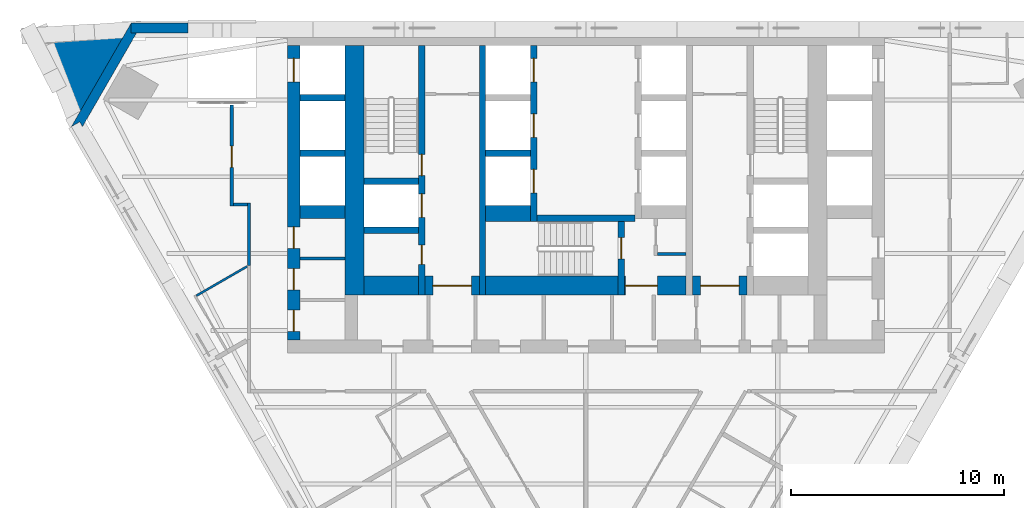
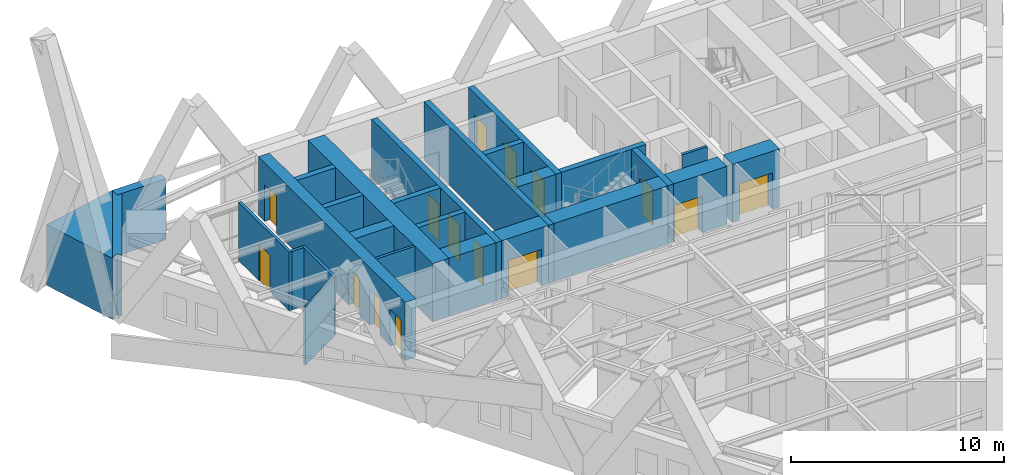
# One storey, part 7 of 11: 28 walls, 15 doors, 15 openings.
"""IFC4 building model written with IfcOpenShell, lengths in metres."""

import ifcopenshell
import ifcopenshell.guid

model = None  # the IFC model being written
_history = None  # IfcOwnerHistory: only IFC2X3 demands one
_inside = {}  # id of a spatial element -> (the spatial element, [elements in it])
_under = {}  # id of a project, library or spatial element -> (it, [spatial elements below it])
_declared = {}  # id of a project -> (the project, [libraries it declares])
_typed = {}  # id of a type object -> (the type object, [elements of that type])
_made_of = {}  # id of a material, layer set ... -> (it, [elements and type objects made of it])


def new_model(schema):
    """Start an empty IFC model of exactly this schema.

    Asked for "IFC4X3", IfcOpenShell would pick the latest addendum, in which some entities
    have other attributes; the version numbers below select the first issue.
    IFC2X3 requires an IfcOwnerHistory on every rooted entity: one is made here for all.
    """
    global model, _history
    if schema == "IFC4X3":
        model = ifcopenshell.file(schema_version=(4, 3, 0, 0))
    else:
        model = ifcopenshell.file(schema=schema)
    _inside.clear()
    _under.clear()
    _declared.clear()
    _typed.clear()
    _made_of.clear()
    _history = None
    if model.schema == "IFC2X3":
        org = make("IfcOrganization", Name="unknown")
        user = make(
            "IfcPersonAndOrganization",
            ThePerson=make("IfcPerson", FamilyName="unknown"),
            TheOrganization=org,
        )
        app = make(
            "IfcApplication",
            ApplicationDeveloper=org,
            Version="unknown",
            ApplicationFullName="unknown",
            ApplicationIdentifier="unknown",
        )
        _history = make(
            "IfcOwnerHistory",
            OwningUser=user,
            OwningApplication=app,
            ChangeAction="ADDED",
            CreationDate=0,
        )
    return model


def make(cls, **values):
    """One entity of the class cls with the attributes given. An attribute that is None is left unset."""
    return model.create_entity(
        cls, **{name: value for name, value in values.items() if value is not None}
    )


def rooted(cls, **values):
    """An entity with a GlobalId (a new one), such as an element, a storey or a relation."""
    return make(cls, GlobalId=ifcopenshell.guid.new(), OwnerHistory=_history, **values)


def si_unit(unit_type, name, prefix=None):
    """IfcSIUnit, for example si_unit("LENGTHUNIT", "METRE", prefix="MILLI")."""
    return make("IfcSIUnit", UnitType=unit_type, Prefix=prefix, Name=name)


def assignment(units):
    """IfcUnitAssignment: the units of a project."""
    return None if units is None else make("IfcUnitAssignment", Units=units)


def point(xyz):
    """IfcCartesianPoint."""
    return None if xyz is None else make("IfcCartesianPoint", Coordinates=xyz)


def direction(xyz):
    """IfcDirection."""
    return None if xyz is None else make("IfcDirection", DirectionRatios=xyz)


def frame(location, z_axis=None, x_axis=None):
    """IfcAxis2Placement3D, a coordinate frame: its origin and axes. An axis left out is left unset."""
    return make(
        "IfcAxis2Placement3D",
        Location=point(location),
        Axis=direction(z_axis),
        RefDirection=direction(x_axis),
    )


def frame_2d(location, x_axis=None):
    """IfcAxis2Placement2D, a coordinate frame in the plane: its origin and x axis."""
    return make(
        "IfcAxis2Placement2D", Location=point(location), RefDirection=direction(x_axis)
    )


def origin():
    """The frame at (0, 0, 0) with its axes left unset."""
    return frame((0.0, 0.0, 0.0))


def place(relative_to, where):
    """IfcLocalPlacement: puts the frame where relative to a parent placement (None: the world)."""
    return make(
        "IfcLocalPlacement", PlacementRelTo=relative_to, RelativePlacement=where
    )


def context(
    kind, dimensions, precision=None, world=None, true_north=None, identifier=None
):
    """IfcGeometricRepresentationContext, for example the 3D "Model" context."""
    return make(
        "IfcGeometricRepresentationContext",
        ContextIdentifier=identifier,
        ContextType=kind,
        CoordinateSpaceDimension=dimensions,
        Precision=precision,
        WorldCoordinateSystem=world,
        TrueNorth=true_north,
    )


def subcontext(parent, identifier, kind, view, scale=None):
    """IfcGeometricRepresentationSubContext, for example "Body" below "Model"."""
    return make(
        "IfcGeometricRepresentationSubContext",
        ContextIdentifier=identifier,
        ContextType=kind,
        ParentContext=parent,
        TargetScale=scale,
        TargetView=view,
    )


def project(units=None, contexts=None):
    """IfcProject with its units and contexts."""
    return rooted(
        "IfcProject",
        Name="project",
        RepresentationContexts=contexts,
        UnitsInContext=assignment(units),
    )


def spatial(cls, under=None, at=None, **own):
    """A site, building, storey or space (cls), placed at a placement, below another one or the project."""
    s = rooted(cls, ObjectPlacement=at, **own)
    if under is not None:
        _under.setdefault(under.id(), (under, []))[1].append(s)
    return s


def polyline(points):
    """IfcPolyline through the points."""
    return make("IfcPolyline", Points=[point(p) for p in points])


def profile(cls, at=None, kind="AREA", **sizes):
    """A parametric profile (cls). Its sizes go by their IFC names, for example OverallWidth=200.0."""
    return make(cls, ProfileType=kind, Position=at, **sizes)


def rectangle(**sizes):
    """IfcRectangleProfileDef."""
    return profile("IfcRectangleProfileDef", **sizes)


def outline(outer, holes=None, kind="AREA"):
    """IfcArbitraryClosedProfileDef: a profile drawn as a closed curve; with holes, ...WithVoids."""
    if holes is None:
        return make("IfcArbitraryClosedProfileDef", ProfileType=kind, OuterCurve=outer)
    return make(
        "IfcArbitraryProfileDefWithVoids",
        ProfileType=kind,
        OuterCurve=outer,
        InnerCurves=holes,
    )


def extrude(swept, where, along, depth):
    """IfcExtrudedAreaSolid: the profile swept, set in the frame where, extruded along a direction by depth."""
    return make(
        "IfcExtrudedAreaSolid",
        SweptArea=swept,
        Position=where,
        ExtrudedDirection=direction(along),
        Depth=depth,
    )


def shape(context_of_items, identifier, shape_type, items):
    """IfcShapeRepresentation: the items that make up one representation, for example the "Body"."""
    return make(
        "IfcShapeRepresentation",
        ContextOfItems=context_of_items,
        RepresentationIdentifier=identifier,
        RepresentationType=shape_type,
        Items=items,
    )


def material(Name=None, Category=None):
    """IfcMaterial."""
    return make("IfcMaterial", Name=Name, Category=Category)


def layer(
    of_material, thickness, ventilated=None, Name=None, Category=None, Priority=None
):
    """IfcMaterialLayer: one layer of a wall or slab, of a material (None: an air gap)."""
    return make(
        "IfcMaterialLayer",
        Material=of_material,
        LayerThickness=thickness,
        IsVentilated=ventilated,
        Name=Name,
        Category=Category,
        Priority=Priority,
    )


def layer_set(layers, Name=None):
    """IfcMaterialLayerSet."""
    return make("IfcMaterialLayerSet", MaterialLayers=layers, LayerSetName=Name)


def made_of(thing, what):
    """Note that an element or type object is made of a material, layer set ...; save() writes the relation."""
    if what is not None:
        _made_of.setdefault(what.id(), (what, []))[1].append(thing)
    return thing


def type_object(cls, material=None, **own):
    """A type object (cls), such as IfcWallType, which elements share."""
    return made_of(rooted(cls, **own), material)


def element(
    cls,
    number,
    at=None,
    inside=None,
    cuts=None,
    type_object=None,
    material=None,
    context=None,
    identifier="Body",
    shape_type=None,
    held_by="IfcProductDefinitionShape",
    body=None,
    shapes=None,
    **own,
):
    """One element of the class cls, such as IfcWall. Its Tag is "e" and its number.

    at: its placement. inside: the storey or other place that contains it. cuts: it is an
    opening in that element (IfcRelVoidsElement). A single representation is given by context,
    identifier, shape_type and body (its items); several are given by shapes. held_by: the class
    of the entity that holds the representations. save() writes the other relations.
    """
    e = rooted(cls, Tag="e%d" % number, ObjectPlacement=at, **own)
    if body is not None:
        shapes = [shape(context, identifier, shape_type, body)]
    if shapes is not None:
        e.Representation = make(held_by, Representations=shapes)
    if inside is not None:
        _inside.setdefault(inside.id(), (inside, []))[1].append(e)
    if cuts is not None:
        rooted(
            "IfcRelVoidsElement", RelatingBuildingElement=cuts, RelatedOpeningElement=e
        )
    if type_object is not None:
        _typed.setdefault(type_object.id(), (type_object, []))[1].append(e)
    return made_of(e, material)


def fill(opening, filler):
    """IfcRelFillsElement: the door or window that sits in an opening."""
    return rooted(
        "IfcRelFillsElement",
        RelatingOpeningElement=opening,
        RelatedBuildingElement=filler,
    )


def aggregate(whole, parts):
    """IfcRelAggregates: a whole, such as a stair, and the parts it consists of."""
    return rooted("IfcRelAggregates", RelatingObject=whole, RelatedObjects=parts)


def save(model, path):
    """Write the relations noted so far, then the file.

    IfcRelAggregates (storeys below a building ...), IfcRelContainedInSpatialStructure (elements
    in a storey), IfcRelDefinesByType, IfcRelAssociatesMaterial and IfcRelDeclares: one each for
    every whole, place, type object, material and project.
    """
    for whole, parts in _under.values():
        aggregate(whole, parts)
    for where, things in _inside.values():
        rooted(
            "IfcRelContainedInSpatialStructure",
            RelatedElements=things,
            RelatingStructure=where,
        )
    for kind, things in _typed.values():
        rooted("IfcRelDefinesByType", RelatedObjects=things, RelatingType=kind)
    for what, things in _made_of.values():
        rooted("IfcRelAssociatesMaterial", RelatedObjects=things, RelatingMaterial=what)
    for by, libraries in _declared.values():
        rooted("IfcRelDeclares", RelatingContext=by, RelatedDefinitions=libraries)
    model.write(path)


model = new_model("IFC4")

# Units and contexts
model_context = context("Model", 3, precision=1e-05, world=origin(), true_north=direction((0.0, 1.0)))
body_context = subcontext(model_context, "Body", "Model", "MODEL_VIEW")
ifc_project = project(units=[si_unit("LENGTHUNIT", "METRE"), si_unit("AREAUNIT", "SQUARE_METRE"), si_unit("VOLUMEUNIT", "CUBIC_METRE"), si_unit("PLANEANGLEUNIT", "RADIAN"), si_unit("MASSUNIT", "GRAM", prefix="KILO")], contexts=[model_context])

# Site, building, storey
site_placement = place(None, origin())
site = spatial("IfcSite", under=ifc_project, at=site_placement, CompositionType="ELEMENT")
building_placement = place(site_placement, origin())
building = spatial("IfcBuilding", under=site, at=building_placement, Name="Aloe Facet Convention Tower", CompositionType="ELEMENT")
storey_placement = place(building_placement, frame((0.0, 0.0, 95.800048828125)))
storey = spatial("IfcBuildingStorey", under=building, at=storey_placement, Name="L23", CompositionType="ELEMENT", Elevation=95.800048828125)

# Walls
ifc_material_1 = material(Name="Concrete blockwork partition", Category="masonry")
ifc_layer_1 = layer(ifc_material_1, 0.14990234375)
ifc_layer_set_1 = layer_set([ifc_layer_1], Name="CR-W-PART150")
wall_type_1 = type_object("IfcWallType", Name="CR-W-PART150", PredefinedType="PARTITIONING", material=ifc_layer_set_1)
wall_1_placement = place(storey_placement, frame((66.60009765625, 123.97509765625, 0.0), z_axis=(0.0, 0.0, 1.0), x_axis=(1.0, 0.0, 0.0)))
element("IfcWall", 1, at=wall_1_placement, inside=storey, type_object=wall_type_1, Name="Core partition L23-007", PredefinedType="PARTITIONING", context=body_context, shape_type="SweptSolid", body=[
    extrude(rectangle(XDim=2.099853515625, YDim=0.14990234375, at=frame_2d((1.0498046875, 0.0))), origin(), (0.0, 0.0, 1.0), 3.349853515625),
])
wall_2_placement = place(storey_placement, frame((83.35009765625, 124.175048828125, 0.0), z_axis=(0.0, 0.0, 1.0), x_axis=(1.0, 0.0, 0.0)))
element("IfcWall", 2, at=wall_2_placement, inside=storey, type_object=wall_type_1, Name="Core partition L23-036", PredefinedType="PARTITIONING", context=body_context, shape_type="SweptSolid", body=[
    extrude(rectangle(XDim=1.349853515625, YDim=0.14990234375, at=frame_2d((0.6748046875, 0.0))), origin(), (0.0, 0.0, 1.0), 3.349853515625),
])
ifc_material_2 = material(Name="Concrete C70/85", Category="concrete")
ifc_layer_2 = layer(ifc_material_2, 0.300048828125)
ifc_layer_set_2 = layer_set([ifc_layer_2], Name="CR-W-RC300-C7085")
wall_type_2 = type_object("IfcWallType", Name="CR-W-RC300-C7085", PredefinedType="SOLIDWALL", material=ifc_layer_set_2)
for number, where, z_axis, x_axis, name in (
    (3, (66.60009765625, 131.5, 0.0), (0.0, 0.0, 1.0), (1.0, 0.0, 0.0), "Core wall L23-004"),
    (4, (66.60009765625, 128.89990234375, 0.0), (0.0, 0.0, 1.0), (1.0, 0.0, 0.0), "Core wall L23-005"),
):
    element("IfcWall", number, at=place(storey_placement, frame(where, z_axis=z_axis, x_axis=x_axis)), inside=storey, type_object=wall_type_2, Name=name, PredefinedType="SOLIDWALL", context=body_context, shape_type="SweptSolid", body=[
        extrude(rectangle(XDim=2.099853515625, YDim=0.300048828125, at=frame_2d((1.0498046875, 0.0))), origin(), (0.0, 0.0, 1.0), 3.349853515625),
    ])
for number, where, z_axis, x_axis, name in (
    (5, (69.60009765625, 127.60009765625, 0.0), (0.0, 0.0, 1.0), (1.0, 0.0, 0.0), "Core wall L23-011"),
    (6, (69.60009765625, 125.300048828125, 0.0), (0.0, 0.0, 1.0), (1.0, 0.0, 0.0), "Core wall L23-012"),
):
    element("IfcWall", number, at=place(storey_placement, frame(where, z_axis=z_axis, x_axis=x_axis)), inside=storey, type_object=wall_type_2, Name=name, PredefinedType="SOLIDWALL", context=body_context, shape_type="SweptSolid", body=[
        extrude(rectangle(XDim=2.5498046875, YDim=0.300048828125, at=frame_2d((1.27490234375, 0.0))), origin(), (0.0, 0.0, 1.0), 3.349853515625),
    ])

# Wall, openings, doors
wall_3_placement = place(storey_placement, frame((72.300048828125, 133.949951171875, 0.0), z_axis=(0.0, 0.0, 1.0), x_axis=(0.0, -1.0, 0.0)))
wall_3 = element("IfcWall", 7, at=wall_3_placement, inside=storey, type_object=wall_type_2, Name="Core wall L23-014", PredefinedType="SOLIDWALL", context=body_context, shape_type="SweptSolid", body=[
    extrude(rectangle(XDim=11.699951171875, YDim=0.300048828125, at=frame_2d((5.85009765625, 0.0))), origin(), (0.0, 0.0, 1.0), 3.349853515625),
])
opening_1_placement = place(wall_3_placement, frame((6.949951171875, 0.0, 0.0)))
opening_1 = element("IfcOpeningElement", 8, at=opening_1_placement, cuts=wall_3, Name="Opening LD-FF1-L23", PredefinedType="OPENING", context=body_context, shape_type="SweptSolid", body=[
    extrude(rectangle(XDim=1.10009765625, YDim=2.10009765625, at=frame_2d((0.550048828125, 1.050048828125))), frame((0.0, 0.16015625, 0.0), z_axis=(0.0, -1.0, 0.0), x_axis=(1.0, 0.0, 0.0)), (0.0, 0.0, 1.0), 0.320068359375),
])
opening_2_placement = place(wall_3_placement, frame((9.35009765625, 0.0, 0.0)))
opening_2 = element("IfcOpeningElement", 9, at=opening_2_placement, cuts=wall_3, Name="Opening L23-CD22", PredefinedType="OPENING", context=body_context, shape_type="SweptSolid", body=[
    extrude(rectangle(XDim=0.89990234375, YDim=2.10009765625, at=frame_2d((0.449951171875, 1.050048828125))), frame((0.0, 0.16015625, 0.0), z_axis=(0.0, -1.0, 0.0), x_axis=(1.0, 0.0, 0.0)), (0.0, 0.0, 1.0), 0.320068359375),
])
opening_3_placement = place(wall_3_placement, frame((5.10009765625, 0.0, 0.0)))
opening_3 = element("IfcOpeningElement", 10, at=opening_3_placement, cuts=wall_3, Name="Opening L23-CD29", PredefinedType="OPENING", context=body_context, shape_type="SweptSolid", body=[
    extrude(rectangle(XDim=1.0, YDim=2.10009765625, at=frame_2d((0.5, 1.050048828125))), frame((0.0, 0.16015625, 0.0), z_axis=(0.0, -1.0, 0.0), x_axis=(1.0, 0.0, 0.0)), (0.0, 0.0, 1.0), 0.320068359375),
])
ifc_material_3 = material(Name="Steel fire-resisting door set FD60", Category="steel")
door_type_1 = type_object("IfcDoorType", Name="CR-D-ROOM-900-FD60-SLEFT", OperationType="SINGLE_SWING_LEFT", PredefinedType="DOOR", material=ifc_material_3)
door_1_placement = place(opening_2_placement, origin())
door_1 = element("IfcDoor", 11, at=door_1_placement, inside=storey, type_object=door_type_1, Name="Core door L23-CD22", OperationType="SINGLE_SWING_LEFT", OverallHeight=2.10009765625, OverallWidth=0.89990234375, PredefinedType="DOOR", context=body_context, shape_type="SweptSolid", body=[
    extrude(rectangle(XDim=0.89990234375, YDim=2.10009765625, at=frame_2d((0.449951171875, 1.050048828125))), frame((0.0, 0.02490234375, 0.0), z_axis=(0.0, -1.0, 0.0), x_axis=(1.0, 0.0, 0.0)), (0.0, 0.0, 1.0), 0.050048828125),
])
fill(opening_2, door_1)
ifc_material_4 = material(Name="Steel fire-resisting door set FD120", Category="steel")
door_type_2 = type_object("IfcDoorType", Name="CR-D-STAIR-1000-FD120-SRIGHT", OperationType="SINGLE_SWING_RIGHT", PredefinedType="DOOR", material=ifc_material_4)
door_2_placement = place(opening_3_placement, origin())
door_2 = element("IfcDoor", 12, at=door_2_placement, inside=storey, type_object=door_type_2, Name="Core door L23-CD29", OperationType="SINGLE_SWING_RIGHT", OverallHeight=2.10009765625, OverallWidth=1.0, PredefinedType="DOOR", context=body_context, shape_type="SweptSolid", body=[
    extrude(rectangle(XDim=1.0, YDim=2.10009765625, at=frame_2d((0.5, 1.050048828125))), frame((0.0, 0.02490234375, 0.0), z_axis=(0.0, -1.0, 0.0), x_axis=(1.0, 0.0, 0.0)), (0.0, 0.0, 1.0), 0.050048828125),
])
fill(opening_3, door_2)
ifc_material_5 = material(Name="Stainless steel sliding landing door", Category="steel")
door_type_3 = type_object("IfcDoorType", Name="CR-LD-1100-FD120-_LEFT", OperationType="SLIDING_TO_LEFT", PredefinedType="DOOR", material=ifc_material_5)
door_3_placement = place(opening_1_placement, origin())
door_3 = element("IfcDoor", 13, at=door_3_placement, inside=storey, type_object=door_type_3, Name="Landing door FF1 L23", OperationType="SLIDING_TO_LEFT", OverallHeight=2.10009765625, OverallWidth=1.10009765625, PredefinedType="DOOR", context=body_context, shape_type="SweptSolid", body=[
    extrude(rectangle(XDim=1.10009765625, YDim=2.10009765625, at=frame_2d((0.550048828125, 1.050048828125))), frame((0.0, 0.02490234375, 0.0), z_axis=(0.0, -1.0, 0.0), x_axis=(1.0, 0.0, 0.0)), (0.0, 0.0, 1.0), 0.050048828125),
])
fill(opening_1, door_3)

# Walls
wall_4_placement = place(storey_placement, frame((75.14990234375, 133.949951171875, 0.0), z_axis=(0.0, 0.0, 1.0), x_axis=(0.0, -1.0, 0.0)))
element("IfcWall", 14, at=wall_4_placement, inside=storey, type_object=wall_type_2, Name="Core wall L23-019", PredefinedType="SOLIDWALL", context=body_context, shape_type="SweptSolid", body=[
    extrude(rectangle(XDim=11.699951171875, YDim=0.300048828125, at=frame_2d((5.85009765625, 0.0))), origin(), (0.0, 0.0, 1.0), 3.349853515625),
])
wall_5_placement = place(storey_placement, frame((75.300048828125, 128.89990234375, 0.0), z_axis=(0.0, 0.0, 1.0), x_axis=(1.0, 0.0, 0.0)))
element("IfcWall", 15, at=wall_5_placement, inside=storey, type_object=wall_type_2, Name="Core wall L23-021", PredefinedType="SOLIDWALL", context=body_context, shape_type="SweptSolid", body=[
    extrude(rectangle(XDim=2.099853515625, YDim=0.300048828125, at=frame_2d((1.0498046875, 0.0))), origin(), (0.0, 0.0, 1.0), 3.349853515625),
])

# Wall, openings, doors
wall_6_placement = place(storey_placement, frame((77.550048828125, 133.949951171875, 0.0), z_axis=(0.0, 0.0, 1.0), x_axis=(0.0, -1.0, 0.0)))
wall_6 = element("IfcWall", 16, at=wall_6_placement, inside=storey, type_object=wall_type_2, Name="Core wall L23-024", PredefinedType="SOLIDWALL", context=body_context, shape_type="SweptSolid", body=[
    extrude(rectangle(XDim=8.25, YDim=0.300048828125, at=frame_2d((4.125, 0.0))), origin(), (0.0, 0.0, 1.0), 3.349853515625),
])
opening_4_placement = place(wall_6_placement, frame((0.60009765625, 0.0, 0.0)))
opening_4 = element("IfcOpeningElement", 17, at=opening_4_placement, cuts=wall_6, Name="Opening LD-A1-L23", PredefinedType="OPENING", context=body_context, shape_type="SweptSolid", body=[
    extrude(rectangle(XDim=1.10009765625, YDim=2.10009765625, at=frame_2d((0.550048828125, 1.050048828125))), frame((0.0, 0.16015625, 0.0), z_axis=(0.0, -1.0, 0.0), x_axis=(1.0, 0.0, 0.0)), (0.0, 0.0, 1.0), 0.320068359375),
])
opening_5_placement = place(wall_6_placement, frame((3.199951171875, 0.0, 0.0)))
opening_5 = element("IfcOpeningElement", 18, at=opening_5_placement, cuts=wall_6, Name="Opening LD-A2-L23", PredefinedType="OPENING", context=body_context, shape_type="SweptSolid", body=[
    extrude(rectangle(XDim=1.10009765625, YDim=2.10009765625, at=frame_2d((0.550048828125, 1.050048828125))), frame((0.0, 0.16015625, 0.0), z_axis=(0.0, -1.0, 0.0), x_axis=(1.0, 0.0, 0.0)), (0.0, 0.0, 1.0), 0.320068359375),
])
opening_6_placement = place(wall_6_placement, frame((5.800048828125, 0.0, 0.0)))
opening_6 = element("IfcOpeningElement", 19, at=opening_6_placement, cuts=wall_6, Name="Opening LD-A3-L23", PredefinedType="OPENING", context=body_context, shape_type="SweptSolid", body=[
    extrude(rectangle(XDim=1.10009765625, YDim=2.10009765625, at=frame_2d((0.550048828125, 1.050048828125))), frame((0.0, 0.16015625, 0.0), z_axis=(0.0, -1.0, 0.0), x_axis=(1.0, 0.0, 0.0)), (0.0, 0.0, 1.0), 0.320068359375),
])
ifc_material_6 = material(Name="Stainless steel sliding landing door", Category="steel")
door_type_4 = type_object("IfcDoorType", Name="CR-LD-1100-FD60-RIGHT", OperationType="SLIDING_TO_RIGHT", PredefinedType="DOOR", material=ifc_material_6)
door_4_placement = place(opening_4_placement, origin())
door_4 = element("IfcDoor", 20, at=door_4_placement, inside=storey, type_object=door_type_4, Name="Landing door A1 L23", OperationType="SLIDING_TO_RIGHT", OverallHeight=2.10009765625, OverallWidth=1.10009765625, PredefinedType="DOOR", context=body_context, shape_type="SweptSolid", body=[
    extrude(rectangle(XDim=1.10009765625, YDim=2.10009765625, at=frame_2d((0.550048828125, 1.050048828125))), frame((0.0, 0.02490234375, 0.0), z_axis=(0.0, -1.0, 0.0), x_axis=(1.0, 0.0, 0.0)), (0.0, 0.0, 1.0), 0.050048828125),
])
fill(opening_4, door_4)
door_5_placement = place(opening_5_placement, origin())
door_5 = element("IfcDoor", 21, at=door_5_placement, inside=storey, type_object=door_type_4, Name="Landing door A2 L23", OperationType="SLIDING_TO_RIGHT", OverallHeight=2.10009765625, OverallWidth=1.10009765625, PredefinedType="DOOR", context=body_context, shape_type="SweptSolid", body=[
    extrude(rectangle(XDim=1.10009765625, YDim=2.10009765625, at=frame_2d((0.550048828125, 1.050048828125))), frame((0.0, 0.02490234375, 0.0), z_axis=(0.0, -1.0, 0.0), x_axis=(1.0, 0.0, 0.0)), (0.0, 0.0, 1.0), 0.050048828125),
])
fill(opening_5, door_5)
door_6_placement = place(opening_6_placement, origin())
door_6 = element("IfcDoor", 22, at=door_6_placement, inside=storey, type_object=door_type_4, Name="Landing door A3 L23", OperationType="SLIDING_TO_RIGHT", OverallHeight=2.10009765625, OverallWidth=1.10009765625, PredefinedType="DOOR", context=body_context, shape_type="SweptSolid", body=[
    extrude(rectangle(XDim=1.10009765625, YDim=2.10009765625, at=frame_2d((0.550048828125, 1.050048828125))), frame((0.0, 0.02490234375, 0.0), z_axis=(0.0, -1.0, 0.0), x_axis=(1.0, 0.0, 0.0)), (0.0, 0.0, 1.0), 0.050048828125),
])
fill(opening_6, door_6)

# Wall
wall_7_placement = place(storey_placement, frame((77.699951171875, 125.85009765625, 0.0), z_axis=(0.0, 0.0, 1.0), x_axis=(1.0, 0.0, 0.0)))
element("IfcWall", 23, at=wall_7_placement, inside=storey, type_object=wall_type_2, Name="Core wall L23-025", PredefinedType="SOLIDWALL", context=body_context, shape_type="SweptSolid", body=[
    extrude(rectangle(XDim=4.60009765625, YDim=0.300048828125, at=frame_2d((2.300048828125, 0.0))), origin(), (0.0, 0.0, 1.0), 3.349853515625),
])

# Wall, opening, door
wall_8_placement = place(storey_placement, frame((81.64990234375, 125.699951171875, 0.0), z_axis=(0.0, 0.0, 1.0), x_axis=(0.0, -1.0, 0.0)))
wall_8 = element("IfcWall", 24, at=wall_8_placement, inside=storey, type_object=wall_type_2, Name="Core wall L23-028", PredefinedType="SOLIDWALL", context=body_context, shape_type="SweptSolid", body=[
    extrude(rectangle(XDim=3.449951171875, YDim=0.300048828125, at=frame_2d((1.72509765625, 0.0))), origin(), (0.0, 0.0, 1.0), 3.349853515625),
])
opening_7_placement = place(wall_8_placement, frame((0.75, 0.0, 0.0)))
opening_7 = element("IfcOpeningElement", 25, at=opening_7_placement, cuts=wall_8, Name="Opening L23-CD31", PredefinedType="OPENING", context=body_context, shape_type="SweptSolid", body=[
    extrude(rectangle(XDim=1.0, YDim=2.10009765625, at=frame_2d((0.5, 1.050048828125))), frame((0.0, 0.16015625, 0.0), z_axis=(0.0, -1.0, 0.0), x_axis=(1.0, 0.0, 0.0)), (0.0, 0.0, 1.0), 0.320068359375),
])
ifc_material_7 = material(Name="Steel fire-resisting door set FD120", Category="steel")
door_type_5 = type_object("IfcDoorType", Name="CR-D-STAIR-1000-FD120-SLEFT", OperationType="SINGLE_SWING_LEFT", PredefinedType="DOOR", material=ifc_material_7)
door_7_placement = place(opening_7_placement, origin())
door_7 = element("IfcDoor", 26, at=door_7_placement, inside=storey, type_object=door_type_5, Name="Core door L23-CD31", OperationType="SINGLE_SWING_LEFT", OverallHeight=2.10009765625, OverallWidth=1.0, PredefinedType="DOOR", context=body_context, shape_type="SweptSolid", body=[
    extrude(rectangle(XDim=1.0, YDim=2.10009765625, at=frame_2d((0.5, 1.050048828125))), frame((0.0, 0.02490234375, 0.0), z_axis=(0.0, -1.0, 0.0), x_axis=(1.0, 0.0, 0.0)), (0.0, 0.0, 1.0), 0.050048828125),
])
fill(opening_7, door_7)

# Wall, openings, doors
ifc_material_8 = material(Name="Concrete C70/85", Category="concrete")
ifc_layer_3 = layer(ifc_material_8, 0.60009765625)
ifc_layer_set_3 = layer_set([ifc_layer_3], Name="CR-W-RC600-C7085")
wall_type_3 = type_object("IfcWallType", Name="CR-W-RC600-C7085", PredefinedType="SOLIDWALL", material=ifc_layer_set_3)
wall_9_placement = place(storey_placement, frame((66.300048828125, 133.949951171875, 0.0), z_axis=(0.0, 0.0, 1.0), x_axis=(0.0, -1.0, 0.0)))
wall_9 = element("IfcWall", 27, at=wall_9_placement, inside=storey, type_object=wall_type_3, Name="Core wall L23-002", PredefinedType="SOLIDWALL", context=body_context, shape_type="SweptSolid", body=[
    extrude(rectangle(XDim=13.800048828125, YDim=0.60009765625, at=frame_2d((6.89990234375, 0.0))), origin(), (0.0, 0.0, 1.0), 3.349853515625),
])
opening_8_placement = place(wall_9_placement, frame((0.60009765625, 0.0, 0.0)))
opening_8 = element("IfcOpeningElement", 28, at=opening_8_placement, cuts=wall_9, Name="Opening LD-A7-L23", PredefinedType="OPENING", context=body_context, shape_type="SweptSolid", body=[
    extrude(rectangle(XDim=1.10009765625, YDim=2.10009765625, at=frame_2d((0.550048828125, 1.050048828125))), frame((0.0, 0.31005859375, 0.0), z_axis=(0.0, -1.0, 0.0), x_axis=(1.0, 0.0, 0.0)), (0.0, 0.0, 1.0), 0.6201171875),
])
opening_9_placement = place(wall_9_placement, frame((12.39990234375, 0.0, 0.0)))
opening_9 = element("IfcOpeningElement", 29, at=opening_9_placement, cuts=wall_9, Name="Opening L23-CD33", PredefinedType="OPENING", context=body_context, shape_type="SweptSolid", body=[
    extrude(rectangle(XDim=1.0, YDim=2.10009765625, at=frame_2d((0.5, 1.050048828125))), frame((0.0, 0.31005859375, 0.0), z_axis=(0.0, -1.0, 0.0), x_axis=(1.0, 0.0, 0.0)), (0.0, 0.0, 1.0), 0.6201171875),
])
opening_10_placement = place(wall_9_placement, frame((8.5, 0.0, 0.0)))
opening_10 = element("IfcOpeningElement", 30, at=opening_10_placement, cuts=wall_9, Name="Opening L23-CD34", PredefinedType="OPENING", context=body_context, shape_type="SweptSolid", body=[
    extrude(rectangle(XDim=1.0, YDim=2.10009765625, at=frame_2d((0.5, 1.050048828125))), frame((0.0, 0.31005859375, 0.0), z_axis=(0.0, -1.0, 0.0), x_axis=(1.0, 0.0, 0.0)), (0.0, 0.0, 1.0), 0.6201171875),
])
opening_11_placement = place(wall_9_placement, frame((10.449951171875, 0.0, 0.0)))
opening_11 = element("IfcOpeningElement", 31, at=opening_11_placement, cuts=wall_9, Name="Opening L23-CD35", PredefinedType="OPENING", context=body_context, shape_type="SweptSolid", body=[
    extrude(rectangle(XDim=1.0, YDim=2.10009765625, at=frame_2d((0.5, 1.050048828125))), frame((0.0, 0.31005859375, 0.0), z_axis=(0.0, -1.0, 0.0), x_axis=(1.0, 0.0, 0.0)), (0.0, 0.0, 1.0), 0.6201171875),
])
ifc_material_9 = material(Name="Steel fire-resisting door set FD60", Category="steel")
door_type_6 = type_object("IfcDoorType", Name="CR-D-ROOM-1000-FD60-SLEFT", OperationType="SINGLE_SWING_LEFT", PredefinedType="DOOR", material=ifc_material_9)
door_8_placement = place(opening_9_placement, origin())
door_8 = element("IfcDoor", 32, at=door_8_placement, inside=storey, type_object=door_type_6, Name="Core door L23-CD33", OperationType="SINGLE_SWING_LEFT", OverallHeight=2.10009765625, OverallWidth=1.0, PredefinedType="DOOR", context=body_context, shape_type="SweptSolid", body=[
    extrude(rectangle(XDim=1.0, YDim=2.10009765625, at=frame_2d((0.5, 1.050048828125))), frame((0.0, 0.02490234375, 0.0), z_axis=(0.0, -1.0, 0.0), x_axis=(1.0, 0.0, 0.0)), (0.0, 0.0, 1.0), 0.050048828125),
])
fill(opening_9, door_8)
door_9_placement = place(opening_10_placement, origin())
door_9 = element("IfcDoor", 33, at=door_9_placement, inside=storey, type_object=door_type_6, Name="Core door L23-CD34", OperationType="SINGLE_SWING_LEFT", OverallHeight=2.10009765625, OverallWidth=1.0, PredefinedType="DOOR", context=body_context, shape_type="SweptSolid", body=[
    extrude(rectangle(XDim=1.0, YDim=2.10009765625, at=frame_2d((0.5, 1.050048828125))), frame((0.0, 0.02490234375, 0.0), z_axis=(0.0, -1.0, 0.0), x_axis=(1.0, 0.0, 0.0)), (0.0, 0.0, 1.0), 0.050048828125),
])
fill(opening_10, door_9)
door_10_placement = place(opening_11_placement, origin())
door_10 = element("IfcDoor", 34, at=door_10_placement, inside=storey, type_object=door_type_6, Name="Core door L23-CD35", OperationType="SINGLE_SWING_LEFT", OverallHeight=2.10009765625, OverallWidth=1.0, PredefinedType="DOOR", context=body_context, shape_type="SweptSolid", body=[
    extrude(rectangle(XDim=1.0, YDim=2.10009765625, at=frame_2d((0.5, 1.050048828125))), frame((0.0, 0.02490234375, 0.0), z_axis=(0.0, -1.0, 0.0), x_axis=(1.0, 0.0, 0.0)), (0.0, 0.0, 1.0), 0.050048828125),
])
fill(opening_11, door_10)
ifc_material_10 = material(Name="Stainless steel sliding landing door", Category="steel")
door_type_7 = type_object("IfcDoorType", Name="CR-LD-1100-FD60-_LEFT", OperationType="SLIDING_TO_LEFT", PredefinedType="DOOR", material=ifc_material_10)
door_11_placement = place(opening_8_placement, origin())
door_11 = element("IfcDoor", 35, at=door_11_placement, inside=storey, type_object=door_type_7, Name="Landing door A7 L23", OperationType="SLIDING_TO_LEFT", OverallHeight=2.10009765625, OverallWidth=1.10009765625, PredefinedType="DOOR", context=body_context, shape_type="SweptSolid", body=[
    extrude(rectangle(XDim=1.10009765625, YDim=2.10009765625, at=frame_2d((0.550048828125, 1.050048828125))), frame((0.0, 0.02490234375, 0.0), z_axis=(0.0, -1.0, 0.0), x_axis=(1.0, 0.0, 0.0)), (0.0, 0.0, 1.0), 0.050048828125),
])
fill(opening_8, door_11)

# Walls
wall_10_placement = place(storey_placement, frame((66.60009765625, 126.14990234375, 0.0), z_axis=(0.0, 0.0, 1.0), x_axis=(1.0, 0.0, 0.0)))
element("IfcWall", 36, at=wall_10_placement, inside=storey, type_object=wall_type_3, Name="Core wall L23-006", PredefinedType="SOLIDWALL", context=body_context, shape_type="SweptSolid", body=[
    extrude(rectangle(XDim=2.099853515625, YDim=0.60009765625, at=frame_2d((1.0498046875, 0.0))), origin(), (0.0, 0.0, 1.0), 3.349853515625),
])
ifc_material_11 = material(Name="Concrete C70/85", Category="concrete")
ifc_layer_4 = layer(ifc_material_11, 0.75)
ifc_layer_set_4 = layer_set([ifc_layer_4], Name="CR-W-RC750-C7085")
wall_type_4 = type_object("IfcWallType", Name="CR-W-RC750-C7085", PredefinedType="SOLIDWALL", material=ifc_layer_set_4)
wall_11_placement = place(storey_placement, frame((75.300048828125, 126.074951171875, 0.0), z_axis=(0.0, 0.0, 1.0), x_axis=(1.0, 0.0, 0.0)))
element("IfcWall", 37, at=wall_11_placement, inside=storey, type_object=wall_type_4, Name="Core wall L23-022", PredefinedType="SOLIDWALL", context=body_context, shape_type="SweptSolid", body=[
    extrude(rectangle(XDim=2.099853515625, YDim=0.75, at=frame_2d((1.0498046875, 0.0))), origin(), (0.0, 0.0, 1.0), 3.349853515625),
])
ifc_material_12 = material(Name="Concrete C70/85", Category="concrete")
ifc_layer_5 = layer(ifc_material_12, 0.89990234375)
ifc_layer_set_5 = layer_set([ifc_layer_5], Name="CR-W-RC900-C7085")
wall_type_5 = type_object("IfcWallType", Name="CR-W-RC900-C7085", PredefinedType="SOLIDWALL", material=ifc_layer_set_5)
wall_12_placement = place(storey_placement, frame((69.14990234375, 133.949951171875, 0.0), z_axis=(0.0, 0.0, 1.0), x_axis=(0.0, -1.0, 0.0)))
element("IfcWall", 38, at=wall_12_placement, inside=storey, type_object=wall_type_5, Name="Core wall L23-009", PredefinedType="SOLIDWALL", context=body_context, shape_type="SweptSolid", body=[
    extrude(rectangle(XDim=11.699951171875, YDim=0.89990234375, at=frame_2d((5.85009765625, 0.0))), origin(), (0.0, 0.0, 1.0), 3.349853515625),
])
wall_13_placement = place(storey_placement, frame((69.60009765625, 122.699951171875, 0.0), z_axis=(0.0, 0.0, 1.0), x_axis=(1.0, 0.0, 0.0)))
element("IfcWall", 39, at=wall_13_placement, inside=storey, type_object=wall_type_5, Name="Core wall L23-013", PredefinedType="SOLIDWALL", context=body_context, shape_type="SweptSolid", body=[
    extrude(rectangle(XDim=2.5498046875, YDim=0.89990234375, at=frame_2d((1.27490234375, 0.0))), origin(), (0.0, 0.0, 1.0), 3.349853515625),
])

# Wall, opening, door
wall_14_placement = place(storey_placement, frame((72.449951171875, 122.699951171875, 0.0), z_axis=(0.0, 0.0, 1.0), x_axis=(1.0, 0.0, 0.0)))
wall_14 = element("IfcWall", 40, at=wall_14_placement, inside=storey, type_object=wall_type_5, Name="Core wall L23-016", PredefinedType="SOLIDWALL", context=body_context, shape_type="SweptSolid", body=[
    extrude(rectangle(XDim=2.550048828125, YDim=0.89990234375, at=frame_2d((1.27490234375, 0.0))), origin(), (0.0, 0.0, 1.0), 3.349853515625),
])
opening_12_placement = place(wall_14_placement, frame((0.375, 0.0, 0.0)))
opening_12 = element("IfcOpeningElement", 41, at=opening_12_placement, cuts=wall_14, Name="Opening L23-CD14", PredefinedType="OPENING", context=body_context, shape_type="SweptSolid", body=[
    extrude(rectangle(XDim=1.800048828125, YDim=2.10009765625, at=frame_2d((0.89990234375, 1.050048828125))), frame((0.0, 0.4599609375, 0.0), z_axis=(0.0, -1.0, 0.0), x_axis=(1.0, 0.0, 0.0)), (0.0, 0.0, 1.0), 0.919921875),
])
ifc_material_13 = material(Name="Steel fire-resisting door set FD120", Category="steel")
door_type_8 = type_object("IfcDoorType", Name="CR-D-EXIT-1800-FD120-DD", OperationType="DOUBLE_DOOR_DOUBLE_SWING", PredefinedType="DOOR", material=ifc_material_13)
door_12_placement = place(opening_12_placement, origin())
door_12 = element("IfcDoor", 42, at=door_12_placement, inside=storey, type_object=door_type_8, Name="Core door L23-CD14", OperationType="DOUBLE_DOOR_DOUBLE_SWING", OverallHeight=2.10009765625, OverallWidth=1.800048828125, PredefinedType="DOOR", context=body_context, shape_type="SweptSolid", body=[
    extrude(rectangle(XDim=1.800048828125, YDim=2.10009765625, at=frame_2d((0.89990234375, 1.050048828125))), frame((0.0, 0.02490234375, 0.0), z_axis=(0.0, -1.0, 0.0), x_axis=(1.0, 0.0, 0.0)), (0.0, 0.0, 1.0), 0.050048828125),
])
fill(opening_12, door_12)

# Wall
wall_15_placement = place(storey_placement, frame((75.300048828125, 122.699951171875, 0.0), z_axis=(0.0, 0.0, 1.0), x_axis=(1.0, 0.0, 0.0)))
element("IfcWall", 43, at=wall_15_placement, inside=storey, type_object=wall_type_5, Name="Core wall L23-023", PredefinedType="SOLIDWALL", context=body_context, shape_type="SweptSolid", body=[
    extrude(rectangle(XDim=6.199951171875, YDim=0.89990234375, at=frame_2d((3.10009765625, 0.0))), origin(), (0.0, 0.0, 1.0), 3.349853515625),
])

# Wall, opening, door
wall_16_placement = place(storey_placement, frame((81.800048828125, 122.699951171875, 0.0), z_axis=(0.0, 0.0, 1.0), x_axis=(1.0, 0.0, 0.0)))
wall_16 = element("IfcWall", 44, at=wall_16_placement, inside=storey, type_object=wall_type_5, Name="Core wall L23-029", PredefinedType="SOLIDWALL", context=body_context, shape_type="SweptSolid", body=[
    extrude(rectangle(XDim=2.89990234375, YDim=0.89990234375, at=frame_2d((1.449951171875, 0.0))), origin(), (0.0, 0.0, 1.0), 3.349853515625),
])
opening_13_placement = place(wall_16_placement, frame((0.050048828125, 0.0, 0.0)))
opening_13 = element("IfcOpeningElement", 45, at=opening_13_placement, cuts=wall_16, Name="Opening L23-CD15", PredefinedType="OPENING", context=body_context, shape_type="SweptSolid", body=[
    extrude(rectangle(XDim=1.5, YDim=2.10009765625, at=frame_2d((0.75, 1.050048828125))), frame((0.0, 0.4599609375, 0.0), z_axis=(0.0, -1.0, 0.0), x_axis=(1.0, 0.0, 0.0)), (0.0, 0.0, 1.0), 0.919921875),
])
ifc_material_14 = material(Name="Steel fire-resisting door set FD60", Category="steel")
door_type_9 = type_object("IfcDoorType", Name="CR-D-EXIT-1500-FD60-DD", OperationType="DOUBLE_DOOR_DOUBLE_SWING", PredefinedType="DOOR", material=ifc_material_14)
door_13_placement = place(opening_13_placement, origin())
door_13 = element("IfcDoor", 46, at=door_13_placement, inside=storey, type_object=door_type_9, Name="Core door L23-CD15", OperationType="DOUBLE_DOOR_DOUBLE_SWING", OverallHeight=2.10009765625, OverallWidth=1.5, PredefinedType="DOOR", context=body_context, shape_type="SweptSolid", body=[
    extrude(rectangle(XDim=1.5, YDim=2.10009765625, at=frame_2d((0.75, 1.050048828125))), frame((0.0, 0.02490234375, 0.0), z_axis=(0.0, -1.0, 0.0), x_axis=(1.0, 0.0, 0.0)), (0.0, 0.0, 1.0), 0.050048828125),
])
fill(opening_13, door_13)

wall_17_placement = place(storey_placement, frame((85.0, 122.699951171875, 0.0), z_axis=(0.0, 0.0, 1.0), x_axis=(1.0, 0.0, 0.0)))
wall_17 = element("IfcWall", 47, at=wall_17_placement, inside=storey, type_object=wall_type_5, Name="Core wall L23-039", PredefinedType="SOLIDWALL", context=body_context, shape_type="SweptSolid", body=[
    extrude(rectangle(XDim=2.550048828125, YDim=0.89990234375, at=frame_2d((1.27490234375, 0.0))), origin(), (0.0, 0.0, 1.0), 3.349853515625),
])
opening_14_placement = place(wall_17_placement, frame((0.375, 0.0, 0.0)))
opening_14 = element("IfcOpeningElement", 48, at=opening_14_placement, cuts=wall_17, Name="Opening L23-CD13", PredefinedType="OPENING", context=body_context, shape_type="SweptSolid", body=[
    extrude(rectangle(XDim=1.800048828125, YDim=2.10009765625, at=frame_2d((0.89990234375, 1.050048828125))), frame((0.0, 0.4599609375, 0.0), z_axis=(0.0, -1.0, 0.0), x_axis=(1.0, 0.0, 0.0)), (0.0, 0.0, 1.0), 0.919921875),
])
door_14_placement = place(opening_14_placement, origin())
door_14 = element("IfcDoor", 49, at=door_14_placement, inside=storey, type_object=door_type_8, Name="Core door L23-CD13", OperationType="DOUBLE_DOOR_DOUBLE_SWING", OverallHeight=2.10009765625, OverallWidth=1.800048828125, PredefinedType="DOOR", context=body_context, shape_type="SweptSolid", body=[
    extrude(rectangle(XDim=1.800048828125, YDim=2.10009765625, at=frame_2d((0.89990234375, 1.050048828125))), frame((0.0, 0.02490234375, 0.0), z_axis=(0.0, -1.0, 0.0), x_axis=(1.0, 0.0, 0.0)), (0.0, 0.0, 1.0), 0.050048828125),
])
fill(opening_14, door_14)

# Walls
ifc_material_15 = material(Name="Precast concrete C40/50", Category="concrete")
ifc_layer_6 = layer(ifc_material_15, 0.449951171875)
ifc_layer_set_6 = layer_set([ifc_layer_6], Name="EV-WALL-PIER")
wall_type_6 = type_object("IfcWallType", Name="EV-WALL-PIER", PredefinedType="SOLIDWALL", material=ifc_layer_set_6)
wall_18_placement = place(storey_placement, frame((0.0, 0.0, -0.150146484375)))
element("IfcWall", 50, at=wall_18_placement, inside=storey, type_object=wall_type_6, Name="EP-L23-A", PredefinedType="SOLIDWALL", context=body_context, shape_type="SweptSolid", body=[
    extrude(outline(polyline([(58.678466796875, 135.0), (58.678466796875, 134.550048828125), (58.938232421875, 134.550048828125), (56.398193359375, 130.150146484375), (56.26806640625, 130.375244140625), (55.87841796875, 130.150146484375), (58.678466796875, 135.0)])), origin(), (0.0, 0.0, 1.0), 3.5),
])
ifc_material_16 = material(Name="Precast concrete C40/50", Category="concrete")
ifc_layer_7 = layer(ifc_material_16, 3.947998046875)
ifc_layer_set_7 = layer_set([ifc_layer_7], Name="EV-WALL-SPINE")
wall_type_7 = type_object("IfcWallType", Name="EV-WALL-SPINE", PredefinedType="SOLIDWALL", material=ifc_layer_set_7)
wall_19_placement = place(storey_placement, frame((0.0, 0.0, -0.150146484375)))
element("IfcWall", 51, at=wall_19_placement, inside=storey, type_object=wall_type_7, Name="SP-NW-L23", PredefinedType="SOLIDWALL", context=body_context, shape_type="SweptSolid", body=[
    extrude(outline(polyline([(58.678466796875, 135.0), (54.602783203125, 134.118408203125), (55.87841796875, 130.150146484375), (58.678466796875, 135.0)])), origin(), (0.0, 0.0, 1.0), 3.5),
])
ifc_material_17 = material(Name="Precast concrete C40/50", Category="concrete")
ifc_layer_8 = layer(ifc_material_17, 0.449951171875)
ifc_layer_set_8 = layer_set([ifc_layer_8], Name="EV-WALL-STONE")
wall_type_8 = type_object("IfcWallType", Name="EV-WALL-STONE", PredefinedType="SOLIDWALL", material=ifc_layer_set_8)
wall_20_placement = place(storey_placement, frame((61.3427734375, 134.77490234375, -0.150146484375), z_axis=(0.0, 0.0, 1.0), x_axis=(-1.0, 0.0, 0.0)))
element("IfcWall", 52, at=wall_20_placement, inside=storey, type_object=wall_type_8, Name="EW-L23-N02", PredefinedType="SOLIDWALL", context=body_context, shape_type="SweptSolid", body=[
    extrude(outline(polyline([(2.664306640625, 3.5), (2.664306640625, 0.0), (0.0, 0.0), (0.0, 3.5), (2.664306640625, 3.5)])), frame((0.0, 0.22509765625, 0.0), z_axis=(0.0, -1.0, 0.0), x_axis=(1.0, 0.0, 0.0)), (0.0, 0.0, 1.0), 0.449951171875),
])
ifc_material_18 = material(Name="Gypsum board partition on steel studs", Category="steel")
ifc_layer_9 = layer(ifc_material_18, 0.14990234375)
ifc_layer_set_9 = layer_set([ifc_layer_9], Name="IN-W-CORR")
wall_type_9 = type_object("IfcWallType", Name="IN-W-CORR", PredefinedType="PARTITIONING", material=ifc_layer_set_9)
wall_21_placement = place(storey_placement, frame((64.199951171875, 123.646728515625, 0.0), z_axis=(0.0, 0.0, 1.0), x_axis=(0.0, 1.0, 0.0)))
element("IfcWall", 53, at=wall_21_placement, inside=storey, type_object=wall_type_9, Name="Partition L23-W062", PredefinedType="PARTITIONING", context=body_context, shape_type="SweptSolid", body=[
    extrude(rectangle(XDim=2.92822265625, YDim=0.14990234375, at=frame_2d((1.464111328125, 0.0))), origin(), (0.0, 0.0, 1.0), 3.349853515625),
])

# Wall, opening, door
wall_22_placement = place(storey_placement, frame((63.39990234375, 131.175048828125, 0.0), z_axis=(0.0, 0.0, 1.0), x_axis=(0.000102796052, -0.999999994716, 0.0)))
wall_22 = element("IfcWall", 54, at=wall_22_placement, inside=storey, type_object=wall_type_9, Name="Partition L23-W064", PredefinedType="PARTITIONING", context=body_context, shape_type="SweptSolid", body=[
    extrude(rectangle(XDim=4.75, YDim=0.14990234375, at=frame_2d((2.375, 0.0))), origin(), (0.0, 0.0, 1.0), 3.349853515625),
])
opening_15_placement = place(wall_22_placement, frame((1.9375, 0.0, 0.0)))
opening_15 = element("IfcOpeningElement", 55, at=opening_15_placement, cuts=wall_22, Name="Opening L23-001", PredefinedType="OPENING", context=body_context, shape_type="SweptSolid", body=[
    extrude(rectangle(XDim=1.0, YDim=2.10009765625, at=frame_2d((0.5, 1.050048828125))), frame((0.0, 0.0849609375, 0.0), z_axis=(0.0, -1.0, 0.0), x_axis=(1.0, 0.0, 0.0)), (0.0, 0.0, 1.0), 0.169921875),
])
ifc_material_19 = material(Name="Hardwood flush door FD30S", Category="wood")
door_type_10 = type_object("IfcDoorType", Name="IN-D-WIDE", OperationType="SINGLE_SWING_LEFT", PredefinedType="DOOR", material=ifc_material_19)
door_15_placement = place(opening_15_placement, origin())
door_15 = element("IfcDoor", 56, at=door_15_placement, inside=storey, type_object=door_type_10, Name="Door L23-001", OperationType="SINGLE_SWING_LEFT", OverallHeight=2.10009765625, OverallWidth=1.0, PredefinedType="DOOR", context=body_context, shape_type="SweptSolid", body=[
    extrude(rectangle(XDim=1.0, YDim=2.10009765625, at=frame_2d((0.5, 1.050048828125))), frame((0.0, 0.02490234375, 0.0), z_axis=(0.0, -1.0, 0.0), x_axis=(1.0, 0.0, 0.0)), (0.0, 0.0, 1.0), 0.050048828125),
])
fill(opening_15, door_15)

# Walls
wall_23_placement = place(storey_placement, frame((63.4755859375, 126.5, 0.0), z_axis=(0.0, 0.0, 1.0), x_axis=(1.0, 0.0, 0.0)))
element("IfcWall", 57, at=wall_23_placement, inside=storey, type_object=wall_type_9, Name="Partition L23-W065", PredefinedType="PARTITIONING", context=body_context, shape_type="SweptSolid", body=[
    extrude(rectangle(XDim=0.6494140625, YDim=0.14990234375, at=frame_2d((0.32470703125, 0.0))), origin(), (0.0, 0.0, 1.0), 3.349853515625),
])
ifc_material_20 = material(Name="Gypsum board partition on steel studs", Category="steel")
ifc_layer_10 = layer(ifc_material_20, 0.10009765625)
ifc_layer_set_10 = layer_set([ifc_layer_10], Name="IN-W-PART")
wall_type_10 = type_object("IfcWallType", Name="IN-W-PART", PredefinedType="PARTITIONING", material=ifc_layer_set_10)
wall_24_placement = place(storey_placement, frame((61.740478515625, 122.226806640625, 0.0), z_axis=(0.0, 0.0, 1.0), x_axis=(0.866012292785, 0.50002270823, 0.0)))
element("IfcWall", 58, at=wall_24_placement, inside=storey, type_object=wall_type_10, Name="Partition L23-W061", PredefinedType="PARTITIONING", context=body_context, shape_type="SweptSolid", body=[
    extrude(rectangle(XDim=2.744873046875, YDim=0.10009765625, at=frame_2d((1.37255859375, 0.0))), origin(), (0.0, 0.0, 1.0), 3.349853515625),
])

save(model, "model.ifc")
